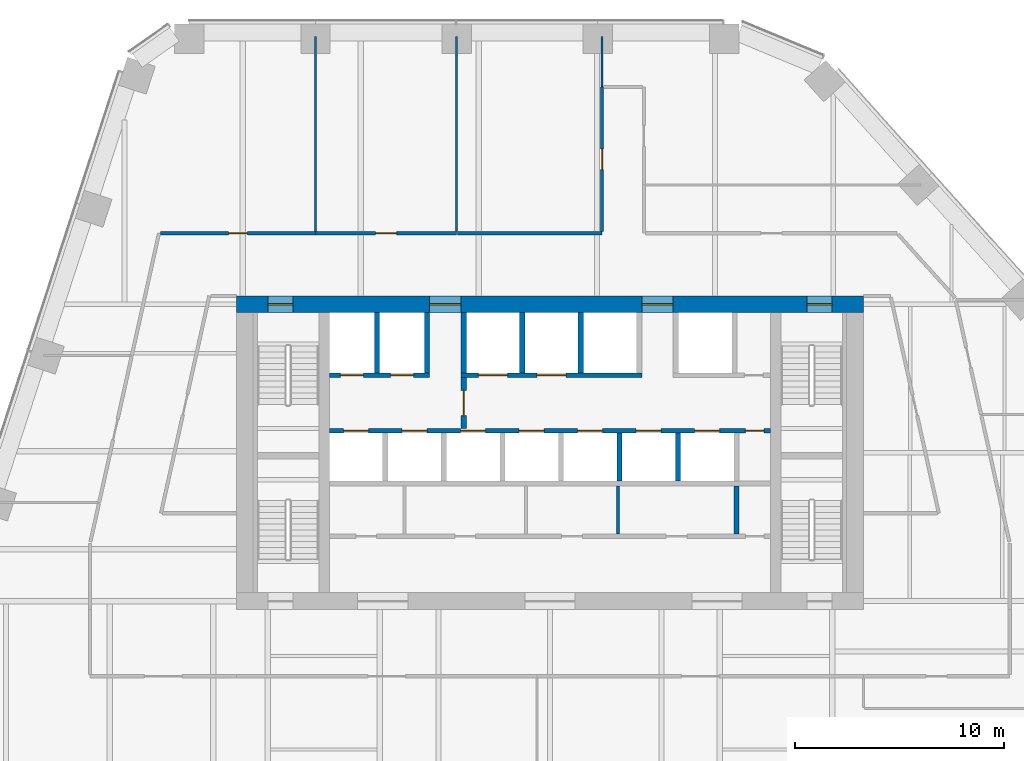
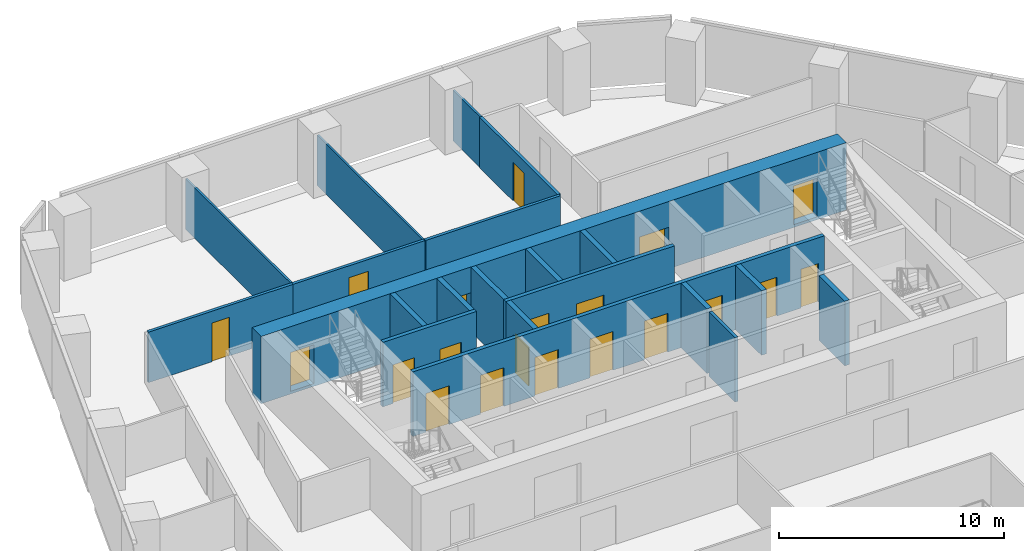
# One storey, part 12 of 16: 21 walls, 20 doors, 20 openings.
"""IFC4 building model written with IfcOpenShell, lengths in metres."""

from ifc_helpers import new_model, si_unit, direction, frame, frame_2d, origin, place, context, subcontext, project, spatial, rectangle, extrude, material, layer, layer_set, type_object, element, fill, save


model = new_model("IFC4")

# Units and contexts
model_context = context("Model", 3, precision=1e-05, world=origin(), true_north=direction((0.0, 1.0)))
body_context = subcontext(model_context, "Body", "Model", "MODEL_VIEW")
ifc_project = project(units=[si_unit("LENGTHUNIT", "METRE"), si_unit("AREAUNIT", "SQUARE_METRE"), si_unit("VOLUMEUNIT", "CUBIC_METRE"), si_unit("PLANEANGLEUNIT", "RADIAN"), si_unit("MASSUNIT", "GRAM", prefix="KILO")], contexts=[model_context])

# Site, building, storey
site_placement = place(None, origin())
site = spatial("IfcSite", under=ifc_project, at=site_placement, CompositionType="ELEMENT")
building_placement = place(site_placement, origin())
building = spatial("IfcBuilding", under=site, at=building_placement, Name="Isthmus Gate Tower", CompositionType="ELEMENT")
storey_placement = place(building_placement, frame((0.0, 0.0, 140.75)))
storey = spatial("IfcBuildingStorey", under=building, at=storey_placement, Name="L34", CompositionType="ELEMENT", Elevation=140.75)

# Wall, opening, door
ifc_material_1 = material(Name="Gypsum board on steel studs, fire-rated", Category="steel")
ifc_layer_1 = layer(ifc_material_1, 0.14990234375)
ifc_layer_set_1 = layer_set([ifc_layer_1], Name="CORRIDOR WALL 150 60 MIN")
wall_type_1 = type_object("IfcWallType", Name="CORRIDOR WALL 150 60 MIN", PredefinedType="PARTITIONING", material=ifc_layer_set_1)
wall_1_placement = place(storey_placement, frame((-11.2119140625, 18.0, 0.0), z_axis=(0.0, 0.0, 1.0), x_axis=(1.0, 0.0, 0.0)))
wall_1 = element("IfcWall", 1, at=wall_1_placement, inside=storey, type_object=wall_type_1, Name="L34 Corridor Wall 150 60 Min", PredefinedType="PARTITIONING", context=body_context, shape_type="SweptSolid", body=[
    extrude(rectangle(XDim=6.75, YDim=0.14990234375, at=frame_2d((3.375, 0.0))), origin(), (0.0, 0.0, 1.0), 2.7412109375),
])
opening_1_placement = place(wall_1_placement, frame((2.875, 0.0, 0.0)))
opening_1 = element("IfcOpeningElement", 2, at=opening_1_placement, cuts=wall_1, Name="Opening DT-T3B-01", PredefinedType="OPENING", context=body_context, shape_type="SweptSolid", body=[
    extrude(rectangle(XDim=1.0, YDim=2.10009765625, at=frame_2d((0.5, 1.050048828125))), frame((0.0, 0.0849609375, 0.0), z_axis=(0.0, -1.0, 0.0), x_axis=(1.0, 0.0, 0.0)), (0.0, 0.0, 1.0), 0.169921875),
])
ifc_material_2 = material(Name="Solid core timber door leaf, fire-rated", Category="wood")
door_type_1 = type_object("IfcDoorType", Name="FIRE DOOR ROOM 1000 X 2100 60 MIN", OperationType="SINGLE_SWING_LEFT", PredefinedType="DOOR", material=ifc_material_2)
door_1_placement = place(opening_1_placement, origin())
door_1 = element("IfcDoor", 3, at=door_1_placement, inside=storey, type_object=door_type_1, Name="L34 room door", OperationType="SINGLE_SWING_RIGHT", OverallHeight=2.10009765625, OverallWidth=1.0, PredefinedType="DOOR", context=body_context, shape_type="SweptSolid", body=[
    extrude(rectangle(XDim=1.0, YDim=2.10009765625, at=frame_2d((0.5, 1.050048828125))), frame((0.0, 0.02490234375, 0.0), z_axis=(0.0, -1.0, 0.0), x_axis=(1.0, 0.0, 0.0)), (0.0, 0.0, 1.0), 0.050048828125),
])
fill(opening_1, door_1)

# Wall
wall_2_placement = place(storey_placement, frame((-4.412109375, 18.0, 0.0), z_axis=(0.0, 0.0, 1.0), x_axis=(1.0, 0.0, 0.0)))
element("IfcWall", 4, at=wall_2_placement, inside=storey, type_object=wall_type_1, Name="L34 Corridor Wall 150 60 Min", PredefinedType="PARTITIONING", context=body_context, shape_type="SweptSolid", body=[
    extrude(rectangle(XDim=6.912109375, YDim=0.14990234375, at=frame_2d((3.4560546875, 0.0))), origin(), (0.0, 0.0, 1.0), 2.7412109375),
])

# Wall, opening, door
wall_3_placement = place(storey_placement, frame((2.5, 18.074951171875, 0.0), z_axis=(0.0, 0.0, 1.0), x_axis=(0.0, 1.0, 0.0)))
wall_3 = element("IfcWall", 5, at=wall_3_placement, inside=storey, type_object=wall_type_1, Name="L34 Corridor Wall 150 60 Min", PredefinedType="PARTITIONING", context=body_context, shape_type="SweptSolid", body=[
    extrude(rectangle(XDim=6.925048828125, YDim=0.14990234375, at=frame_2d((3.46240234375, 0.0))), origin(), (0.0, 0.0, 1.0), 2.7412109375),
])
opening_2_placement = place(wall_3_placement, frame((2.96240234375, 0.0, 0.0)))
opening_2 = element("IfcOpeningElement", 6, at=opening_2_placement, cuts=wall_3, Name="Opening DT-T3B-02", PredefinedType="OPENING", context=body_context, shape_type="SweptSolid", body=[
    extrude(rectangle(XDim=1.0, YDim=2.10009765625, at=frame_2d((0.5, 1.050048828125))), frame((0.0, 0.0849609375, 0.0), z_axis=(0.0, -1.0, 0.0), x_axis=(1.0, 0.0, 0.0)), (0.0, 0.0, 1.0), 0.169921875),
])
door_2_placement = place(opening_2_placement, origin())
door_2 = element("IfcDoor", 7, at=door_2_placement, inside=storey, type_object=door_type_1, Name="L34 room door", OperationType="SINGLE_SWING_RIGHT", OverallHeight=2.10009765625, OverallWidth=1.0, PredefinedType="DOOR", context=body_context, shape_type="SweptSolid", body=[
    extrude(rectangle(XDim=1.0, YDim=2.10009765625, at=frame_2d((0.5, 1.050048828125))), frame((0.0, 0.02490234375, 0.0), z_axis=(0.0, -1.0, 0.0), x_axis=(1.0, 0.0, 0.0)), (0.0, 0.0, 1.0), 0.050048828125),
])
fill(opening_2, door_2)

wall_4_placement = place(storey_placement, frame((-18.6279296875, 18.0, 0.0), z_axis=(0.0, 0.0, 1.0), x_axis=(1.0, 0.0, 0.0)))
wall_4 = element("IfcWall", 8, at=wall_4_placement, inside=storey, type_object=wall_type_1, Name="L34 Corridor Wall 150 60 Min", PredefinedType="PARTITIONING", context=body_context, shape_type="SweptSolid", body=[
    extrude(rectangle(XDim=7.416015625, YDim=0.14990234375, at=frame_2d((3.7080078125, 0.0))), origin(), (0.0, 0.0, 1.0), 2.7412109375),
])
opening_3_placement = place(wall_4_placement, frame((3.258056640625, 0.0, 0.0)))
opening_3 = element("IfcOpeningElement", 9, at=opening_3_placement, cuts=wall_4, Name="Opening DT-T3B-04", PredefinedType="OPENING", context=body_context, shape_type="SweptSolid", body=[
    extrude(rectangle(XDim=0.89990234375, YDim=2.10009765625, at=frame_2d((0.449951171875, 1.050048828125))), frame((0.0, 0.0849609375, 0.0), z_axis=(0.0, -1.0, 0.0), x_axis=(1.0, 0.0, 0.0)), (0.0, 0.0, 1.0), 0.169921875),
])
ifc_material_3 = material(Name="Solid core timber door leaf, fire-rated", Category="wood")
door_type_2 = type_object("IfcDoorType", Name="FIRE DOOR ROOM 900 X 2100 60 MIN", OperationType="SINGLE_SWING_LEFT", PredefinedType="DOOR", material=ifc_material_3)
door_3_placement = place(opening_3_placement, origin())
door_3 = element("IfcDoor", 10, at=door_3_placement, inside=storey, type_object=door_type_2, Name="L34 room door", OperationType="SINGLE_SWING_RIGHT", OverallHeight=2.10009765625, OverallWidth=0.89990234375, PredefinedType="DOOR", context=body_context, shape_type="SweptSolid", body=[
    extrude(rectangle(XDim=0.89990234375, YDim=2.10009765625, at=frame_2d((0.449951171875, 1.050048828125))), frame((0.0, 0.02490234375, 0.0), z_axis=(0.0, -1.0, 0.0), x_axis=(1.0, 0.0, 0.0)), (0.0, 0.0, 1.0), 0.050048828125),
])
fill(opening_3, door_3)

ifc_material_4 = material(Name="Fire-rated blockwork masonry, 15 MPa", Category="masonry")
ifc_layer_2 = layer(ifc_material_4, 0.25)
ifc_layer_set_2 = layer_set([ifc_layer_2], Name="FIRE-FIGHTING LOBBY WALL 250 90 MIN")
wall_type_2 = type_object("IfcWallType", Name="FIRE-FIGHTING LOBBY WALL 250 90 MIN", PredefinedType="PARTITIONING", material=ifc_layer_set_2)
wall_5_placement = place(storey_placement, frame((-4.125, 8.64990234375, 0.0), z_axis=(0.0, 0.0, 1.0), x_axis=(0.0, 1.0, 0.0)))
wall_5 = element("IfcWall", 11, at=wall_5_placement, inside=storey, type_object=wall_type_2, Name="L34 FIRE-FIGHTING LOBBY WALL 250 90 MIN", PredefinedType="PARTITIONING", context=body_context, shape_type="SweptSolid", body=[
    extrude(rectangle(XDim=2.4501953125, YDim=0.25, at=frame_2d((1.22509765625, 0.0))), origin(), (0.0, 0.0, 1.0), 3.5),
])
opening_4_placement = place(wall_5_placement, frame((0.625, 0.0, 0.0)))
opening_4 = element("IfcOpeningElement", 12, at=opening_4_placement, cuts=wall_5, Name="Opening DC-A13-01", PredefinedType="OPENING", context=body_context, shape_type="SweptSolid", body=[
    extrude(rectangle(XDim=1.199951171875, YDim=2.10009765625, at=frame_2d((0.60009765625, 1.050048828125))), frame((0.0, 0.135009765625, 0.0), z_axis=(0.0, -1.0, 0.0), x_axis=(1.0, 0.0, 0.0)), (0.0, 0.0, 1.0), 0.27001953125),
])
ifc_material_5 = material(Name="Steel door leaf, fire-rated", Category="steel")
door_type_3 = type_object("IfcDoorType", Name="LOBBY FIRE DOOR 1200 X 2100 90 MIN", OperationType="DOUBLE_DOOR_SINGLE_SWING", PredefinedType="DOOR", material=ifc_material_5)
door_4_placement = place(opening_4_placement, origin())
door_4 = element("IfcDoor", 13, at=door_4_placement, inside=storey, type_object=door_type_3, Name="Fire-fighting Lobby Door", OperationType="SINGLE_SWING_LEFT", OverallHeight=2.10009765625, OverallWidth=1.199951171875, PredefinedType="DOOR", context=body_context, shape_type="SweptSolid", body=[
    extrude(rectangle(XDim=1.199951171875, YDim=2.10009765625, at=frame_2d((0.60009765625, 1.050048828125))), frame((0.0, 0.02490234375, 0.0), z_axis=(0.0, -1.0, 0.0), x_axis=(1.0, 0.0, 0.0)), (0.0, 0.0, 1.0), 0.050048828125),
])
fill(opening_4, door_4)

# Wall, openings, doors
ifc_material_6 = material(Name="Concrete f'c 60 MPa", Category="concrete")
ifc_layer_3 = layer(ifc_material_6, 0.800048828125)
ifc_layer_set_3 = layer_set([ifc_layer_3], Name="RC CORE WALL 800 F'C 60")
wall_type_3 = type_object("IfcWallType", Name="RC CORE WALL 800 F'C 60", PredefinedType="SOLIDWALL", material=ifc_layer_set_3)
wall_6_placement = place(storey_placement, frame((-15.0, 14.60009765625, -0.14990234375), z_axis=(0.0, 0.0, 1.0), x_axis=(1.0, 0.0, 0.0)))
wall_6 = element("IfcWall", 14, at=wall_6_placement, inside=storey, type_object=wall_type_3, Name="str-corewall-L34-N", PredefinedType="SOLIDWALL", context=body_context, shape_type="SweptSolid", body=[
    extrude(rectangle(XDim=30.0, YDim=0.800048828125, at=frame_2d((15.0, 0.0))), origin(), (0.0, 0.0, 1.0), 3.64990234375),
])
opening_5_placement = place(wall_6_placement, frame((9.25, 0.0, 0.14990234375)))
opening_5 = element("IfcOpeningElement", 15, at=opening_5_placement, cuts=wall_6, Name="Opening DC-A13-12", PredefinedType="OPENING", context=body_context, shape_type="SweptSolid", body=[
    extrude(rectangle(XDim=1.5, YDim=2.10009765625, at=frame_2d((0.75, 1.050048828125))), frame((0.0, 0.409912109375, 0.0), z_axis=(0.0, -1.0, 0.0), x_axis=(1.0, 0.0, 0.0)), (0.0, 0.0, 1.0), 0.820068359375),
])
opening_6_placement = place(wall_6_placement, frame((19.39990234375, 0.0, 0.14990234375)))
opening_6 = element("IfcOpeningElement", 16, at=opening_6_placement, cuts=wall_6, Name="Opening DC-A13-13", PredefinedType="OPENING", context=body_context, shape_type="SweptSolid", body=[
    extrude(rectangle(XDim=1.5, YDim=2.10009765625, at=frame_2d((0.75, 1.050048828125))), frame((0.0, 0.409912109375, 0.0), z_axis=(0.0, -1.0, 0.0), x_axis=(1.0, 0.0, 0.0)), (0.0, 0.0, 1.0), 0.820068359375),
])
opening_7_placement = place(wall_6_placement, frame((1.5, 0.0, 0.14990234375)))
opening_7 = element("IfcOpeningElement", 17, at=opening_7_placement, cuts=wall_6, Name="Opening DC-A13-14", PredefinedType="OPENING", context=body_context, shape_type="SweptSolid", body=[
    extrude(rectangle(XDim=1.199951171875, YDim=2.10009765625, at=frame_2d((0.60009765625, 1.050048828125))), frame((0.0, 0.409912109375, 0.0), z_axis=(0.0, -1.0, 0.0), x_axis=(1.0, 0.0, 0.0)), (0.0, 0.0, 1.0), 0.820068359375),
])
opening_8_placement = place(wall_6_placement, frame((27.300048828125, 0.0, 0.14990234375)))
opening_8 = element("IfcOpeningElement", 18, at=opening_8_placement, cuts=wall_6, Name="Opening DC-A13-15", PredefinedType="OPENING", context=body_context, shape_type="SweptSolid", body=[
    extrude(rectangle(XDim=1.199951171875, YDim=2.10009765625, at=frame_2d((0.60009765625, 1.050048828125))), frame((0.0, 0.409912109375, 0.0), z_axis=(0.0, -1.0, 0.0), x_axis=(1.0, 0.0, 0.0)), (0.0, 0.0, 1.0), 0.820068359375),
])
ifc_material_7 = material(Name="Steel door leaf, fire-rated", Category="steel")
door_type_4 = type_object("IfcDoorType", Name="LOBBY FIRE DOOR 1500 X 2100 60 MIN", OperationType="DOUBLE_DOOR_SINGLE_SWING", PredefinedType="DOOR", material=ifc_material_7)
door_5_placement = place(opening_6_placement, origin())
door_5 = element("IfcDoor", 19, at=door_5_placement, inside=storey, type_object=door_type_4, Name="Lobby Door PN-E", OperationType="DOUBLE_DOOR_SINGLE_SWING", OverallHeight=2.10009765625, OverallWidth=1.5, PredefinedType="DOOR", context=body_context, shape_type="SweptSolid", body=[
    extrude(rectangle(XDim=1.5, YDim=2.10009765625, at=frame_2d((0.75, 1.050048828125))), frame((0.0, 0.02490234375, 0.0), z_axis=(0.0, -1.0, 0.0), x_axis=(1.0, 0.0, 0.0)), (0.0, 0.0, 1.0), 0.050048828125),
])
fill(opening_6, door_5)
ifc_material_8 = material(Name="Steel door leaf, fire-rated", Category="steel")
door_type_5 = type_object("IfcDoorType", Name="LOBBY FIRE DOOR 1500 X 2100 90 MIN", OperationType="DOUBLE_DOOR_SINGLE_SWING", PredefinedType="DOOR", material=ifc_material_8)
door_6_placement = place(opening_5_placement, origin())
door_6 = element("IfcDoor", 20, at=door_6_placement, inside=storey, type_object=door_type_5, Name="Lobby Door PN-W", OperationType="DOUBLE_DOOR_SINGLE_SWING", OverallHeight=2.10009765625, OverallWidth=1.5, PredefinedType="DOOR", context=body_context, shape_type="SweptSolid", body=[
    extrude(rectangle(XDim=1.5, YDim=2.10009765625, at=frame_2d((0.75, 1.050048828125))), frame((0.0, 0.02490234375, 0.0), z_axis=(0.0, -1.0, 0.0), x_axis=(1.0, 0.0, 0.0)), (0.0, 0.0, 1.0), 0.050048828125),
])
fill(opening_5, door_6)
ifc_material_9 = material(Name="Steel door leaf, fire-rated", Category="steel")
door_type_6 = type_object("IfcDoorType", Name="STAIR FIRE DOOR 1200 X 2100 90 MIN", OperationType="SINGLE_SWING_LEFT", PredefinedType="DOOR", material=ifc_material_9)
door_7_placement = place(opening_7_placement, origin())
door_7 = element("IfcDoor", 21, at=door_7_placement, inside=storey, type_object=door_type_6, Name="Exit Stair 1 Door", OperationType="SINGLE_SWING_RIGHT", OverallHeight=2.10009765625, OverallWidth=1.199951171875, PredefinedType="DOOR", context=body_context, shape_type="SweptSolid", body=[
    extrude(rectangle(XDim=1.199951171875, YDim=2.10009765625, at=frame_2d((0.60009765625, 1.050048828125))), frame((0.0, 0.02490234375, 0.0), z_axis=(0.0, -1.0, 0.0), x_axis=(1.0, 0.0, 0.0)), (0.0, 0.0, 1.0), 0.050048828125),
])
fill(opening_7, door_7)
door_8_placement = place(opening_8_placement, origin())
door_8 = element("IfcDoor", 22, at=door_8_placement, inside=storey, type_object=door_type_6, Name="Exit Stair 2 Door", OperationType="SINGLE_SWING_LEFT", OverallHeight=2.10009765625, OverallWidth=1.199951171875, PredefinedType="DOOR", context=body_context, shape_type="SweptSolid", body=[
    extrude(rectangle(XDim=1.199951171875, YDim=2.10009765625, at=frame_2d((0.60009765625, 1.050048828125))), frame((0.0, 0.02490234375, 0.0), z_axis=(0.0, -1.0, 0.0), x_axis=(1.0, 0.0, 0.0)), (0.0, 0.0, 1.0), 0.050048828125),
])
fill(opening_8, door_8)

# Walls
ifc_material_10 = material(Name="Gypsum board on steel studs, fire-rated", Category="steel")
ifc_layer_4 = layer(ifc_material_10, 0.10009765625)
ifc_layer_set_4 = layer_set([ifc_layer_4], Name="ROOM PARTITION 100 30 MIN")
wall_type_4 = type_object("IfcWallType", Name="ROOM PARTITION 100 30 MIN", PredefinedType="PARTITIONING", material=ifc_layer_set_4)
wall_7_placement = place(storey_placement, frame((-4.4619140625, 18.074951171875, 0.0), z_axis=(0.0, 0.0, 1.0), x_axis=(0.0, 1.0, 0.0)))
element("IfcWall", 23, at=wall_7_placement, inside=storey, type_object=wall_type_4, Name="L34 Room Partition 100 30 Min", PredefinedType="PARTITIONING", context=body_context, shape_type="SweptSolid", body=[
    extrude(rectangle(XDim=9.324951171875, YDim=0.10009765625, at=frame_2d((4.66259765625, 0.0))), origin(), (0.0, 0.0, 1.0), 2.7412109375),
])
wall_8_placement = place(storey_placement, frame((2.5, 25.0, 0.0), z_axis=(0.0, 0.0, 1.0), x_axis=(0.0, 1.0, 0.0)))
element("IfcWall", 24, at=wall_8_placement, inside=storey, type_object=wall_type_4, Name="L34 Room Partition 100 30 Min", PredefinedType="PARTITIONING", context=body_context, shape_type="SweptSolid", body=[
    extrude(rectangle(XDim=2.39990234375, YDim=0.10009765625, at=frame_2d((1.199951171875, 0.0))), origin(), (0.0, 0.0, 1.0), 2.7412109375),
])
wall_9_placement = place(storey_placement, frame((-11.2119140625, 18.074951171875, 0.0), z_axis=(0.0, 0.0, 1.0), x_axis=(0.0, 1.0, 0.0)))
element("IfcWall", 25, at=wall_9_placement, inside=storey, type_object=wall_type_4, Name="L34 Room Partition 100 30 Min", PredefinedType="PARTITIONING", context=body_context, shape_type="SweptSolid", body=[
    extrude(rectangle(XDim=9.324951171875, YDim=0.10009765625, at=frame_2d((4.66259765625, 0.0))), origin(), (0.0, 0.0, 1.0), 2.7412109375),
])
ifc_material_11 = material(Name="Gypsum board on steel studs, fire-rated", Category="steel")
ifc_layer_5 = layer(ifc_material_11, 0.14990234375)
ifc_layer_set_5 = layer_set([ifc_layer_5], Name="ROOM PARTITION 150 60 MIN")
wall_type_5 = type_object("IfcWallType", Name="ROOM PARTITION 150 60 MIN", PredefinedType="PARTITIONING", material=ifc_layer_set_5)
wall_10_placement = place(storey_placement, frame((3.25, 3.60009765625, 0.0), z_axis=(0.0, 0.0, 1.0), x_axis=(0.0, 1.0, 0.0)))
element("IfcWall", 26, at=wall_10_placement, inside=storey, type_object=wall_type_5, Name="L34 ROOM PARTITION 150 60 MIN", PredefinedType="PARTITIONING", context=body_context, shape_type="SweptSolid", body=[
    extrude(rectangle(XDim=2.2998046875, YDim=0.14990234375, at=frame_2d((1.14990234375, 0.0))), origin(), (0.0, 0.0, 1.0), 3.5),
])

# Wall, openings, doors
ifc_material_12 = material(Name="Fire-rated blockwork masonry, 15 MPa", Category="masonry")
ifc_layer_6 = layer(ifc_material_12, 0.199951171875)
ifc_layer_set_6 = layer_set([ifc_layer_6], Name="SHAFT FRONT WALL 200 120 MIN")
wall_type_6 = type_object("IfcWallType", Name="SHAFT FRONT WALL 200 120 MIN", PredefinedType="PARTITIONING", material=ifc_layer_set_6)
wall_11_placement = place(storey_placement, frame((-10.550048828125, 8.550048828125, 0.0), z_axis=(0.0, 0.0, 1.0), x_axis=(1.0, 0.0, 0.0)))
wall_11 = element("IfcWall", 27, at=wall_11_placement, inside=storey, type_object=wall_type_6, Name="L34 SHAFT FRONT WALL 200 120 MIN", PredefinedType="PARTITIONING", context=body_context, shape_type="SweptSolid", body=[
    extrude(rectangle(XDim=21.10009765625, YDim=0.199951171875, at=frame_2d((10.550048828125, 0.0))), origin(), (0.0, 0.0, 1.0), 3.5),
])
opening_9_placement = place(wall_11_placement, frame((0.675048828125, 0.0, 0.0)))
opening_9 = element("IfcOpeningElement", 28, at=opening_9_placement, cuts=wall_11, Name="Opening LD-LB1", PredefinedType="OPENING", context=body_context, shape_type="SweptSolid", body=[
    extrude(rectangle(XDim=1.199951171875, YDim=2.10009765625, at=frame_2d((0.60009765625, 1.050048828125))), frame((0.0, 0.10986328125, 0.0), z_axis=(0.0, -1.0, 0.0), x_axis=(1.0, 0.0, 0.0)), (0.0, 0.0, 1.0), 0.219970703125),
])
opening_10_placement = place(wall_11_placement, frame((3.47509765625, 0.0, 0.0)))
opening_10 = element("IfcOpeningElement", 29, at=opening_10_placement, cuts=wall_11, Name="Opening LD-LB2", PredefinedType="OPENING", context=body_context, shape_type="SweptSolid", body=[
    extrude(rectangle(XDim=1.199951171875, YDim=2.10009765625, at=frame_2d((0.60009765625, 1.050048828125))), frame((0.0, 0.10986328125, 0.0), z_axis=(0.0, -1.0, 0.0), x_axis=(1.0, 0.0, 0.0)), (0.0, 0.0, 1.0), 0.219970703125),
])
opening_11_placement = place(wall_11_placement, frame((6.27490234375, 0.0, 0.0)))
opening_11 = element("IfcOpeningElement", 30, at=opening_11_placement, cuts=wall_11, Name="Opening LD-LB3", PredefinedType="OPENING", context=body_context, shape_type="SweptSolid", body=[
    extrude(rectangle(XDim=1.199951171875, YDim=2.10009765625, at=frame_2d((0.60009765625, 1.050048828125))), frame((0.0, 0.10986328125, 0.0), z_axis=(0.0, -1.0, 0.0), x_axis=(1.0, 0.0, 0.0)), (0.0, 0.0, 1.0), 0.219970703125),
])
opening_12_placement = place(wall_11_placement, frame((9.074951171875, 0.0, 0.0)))
opening_12 = element("IfcOpeningElement", 31, at=opening_12_placement, cuts=wall_11, Name="Opening LD-LB4", PredefinedType="OPENING", context=body_context, shape_type="SweptSolid", body=[
    extrude(rectangle(XDim=1.199951171875, YDim=2.10009765625, at=frame_2d((0.60009765625, 1.050048828125))), frame((0.0, 0.10986328125, 0.0), z_axis=(0.0, -1.0, 0.0), x_axis=(1.0, 0.0, 0.0)), (0.0, 0.0, 1.0), 0.219970703125),
])
opening_13_placement = place(wall_11_placement, frame((11.875, 0.0, 0.0)))
opening_13 = element("IfcOpeningElement", 32, at=opening_13_placement, cuts=wall_11, Name="Opening LD-LB5", PredefinedType="OPENING", context=body_context, shape_type="SweptSolid", body=[
    extrude(rectangle(XDim=1.199951171875, YDim=2.10009765625, at=frame_2d((0.60009765625, 1.050048828125))), frame((0.0, 0.10986328125, 0.0), z_axis=(0.0, -1.0, 0.0), x_axis=(1.0, 0.0, 0.0)), (0.0, 0.0, 1.0), 0.219970703125),
])
opening_14_placement = place(wall_11_placement, frame((14.675048828125, 0.0, 0.0)))
opening_14 = element("IfcOpeningElement", 33, at=opening_14_placement, cuts=wall_11, Name="Opening LD-LB6", PredefinedType="OPENING", context=body_context, shape_type="SweptSolid", body=[
    extrude(rectangle(XDim=1.199951171875, YDim=2.10009765625, at=frame_2d((0.60009765625, 1.050048828125))), frame((0.0, 0.10986328125, 0.0), z_axis=(0.0, -1.0, 0.0), x_axis=(1.0, 0.0, 0.0)), (0.0, 0.0, 1.0), 0.219970703125),
])
opening_15_placement = place(wall_11_placement, frame((17.47509765625, 0.0, 0.0)))
opening_15 = element("IfcOpeningElement", 34, at=opening_15_placement, cuts=wall_11, Name="Opening LD-LB7", PredefinedType="OPENING", context=body_context, shape_type="SweptSolid", body=[
    extrude(rectangle(XDim=1.199951171875, YDim=2.10009765625, at=frame_2d((0.60009765625, 1.050048828125))), frame((0.0, 0.10986328125, 0.0), z_axis=(0.0, -1.0, 0.0), x_axis=(1.0, 0.0, 0.0)), (0.0, 0.0, 1.0), 0.219970703125),
])
opening_16_placement = place(wall_11_placement, frame((19.89990234375, 0.0, 0.0)))
opening_16 = element("IfcOpeningElement", 35, at=opening_16_placement, cuts=wall_11, Name="Opening DC-A13-07", PredefinedType="OPENING", context=body_context, shape_type="SweptSolid", body=[
    extrude(rectangle(XDim=0.89990234375, YDim=2.10009765625, at=frame_2d((0.449951171875, 1.050048828125))), frame((0.0, 0.10986328125, 0.0), z_axis=(0.0, -1.0, 0.0), x_axis=(1.0, 0.0, 0.0)), (0.0, 0.0, 1.0), 0.219970703125),
])
ifc_material_13 = material(Name="Stainless steel sliding leaf", Category="steel")
door_type_7 = type_object("IfcDoorType", Name="LIFT LANDING FIRE DOOR 1200 X 2100 90 MIN", OperationType="DOUBLE_DOOR_SLIDING", PredefinedType="DOOR", material=ifc_material_13)
door_9_placement = place(opening_9_placement, origin())
door_9 = element("IfcDoor", 36, at=door_9_placement, inside=storey, type_object=door_type_7, Name="Lift Landing Door LB1", OperationType="DOUBLE_DOOR_SLIDING", OverallHeight=2.10009765625, OverallWidth=1.199951171875, PredefinedType="DOOR", context=body_context, shape_type="SweptSolid", body=[
    extrude(rectangle(XDim=1.199951171875, YDim=2.10009765625, at=frame_2d((0.60009765625, 1.050048828125))), frame((0.0, 0.02490234375, 0.0), z_axis=(0.0, -1.0, 0.0), x_axis=(1.0, 0.0, 0.0)), (0.0, 0.0, 1.0), 0.050048828125),
])
fill(opening_9, door_9)
door_10_placement = place(opening_10_placement, origin())
door_10 = element("IfcDoor", 37, at=door_10_placement, inside=storey, type_object=door_type_7, Name="Lift Landing Door LB2", OperationType="DOUBLE_DOOR_SLIDING", OverallHeight=2.10009765625, OverallWidth=1.199951171875, PredefinedType="DOOR", context=body_context, shape_type="SweptSolid", body=[
    extrude(rectangle(XDim=1.199951171875, YDim=2.10009765625, at=frame_2d((0.60009765625, 1.050048828125))), frame((0.0, 0.02490234375, 0.0), z_axis=(0.0, -1.0, 0.0), x_axis=(1.0, 0.0, 0.0)), (0.0, 0.0, 1.0), 0.050048828125),
])
fill(opening_10, door_10)
door_11_placement = place(opening_11_placement, origin())
door_11 = element("IfcDoor", 38, at=door_11_placement, inside=storey, type_object=door_type_7, Name="Lift Landing Door LB3", OperationType="DOUBLE_DOOR_SLIDING", OverallHeight=2.10009765625, OverallWidth=1.199951171875, PredefinedType="DOOR", context=body_context, shape_type="SweptSolid", body=[
    extrude(rectangle(XDim=1.199951171875, YDim=2.10009765625, at=frame_2d((0.60009765625, 1.050048828125))), frame((0.0, 0.02490234375, 0.0), z_axis=(0.0, -1.0, 0.0), x_axis=(1.0, 0.0, 0.0)), (0.0, 0.0, 1.0), 0.050048828125),
])
fill(opening_11, door_11)
door_12_placement = place(opening_12_placement, origin())
door_12 = element("IfcDoor", 39, at=door_12_placement, inside=storey, type_object=door_type_7, Name="Lift Landing Door LB4", OperationType="DOUBLE_DOOR_SLIDING", OverallHeight=2.10009765625, OverallWidth=1.199951171875, PredefinedType="DOOR", context=body_context, shape_type="SweptSolid", body=[
    extrude(rectangle(XDim=1.199951171875, YDim=2.10009765625, at=frame_2d((0.60009765625, 1.050048828125))), frame((0.0, 0.02490234375, 0.0), z_axis=(0.0, -1.0, 0.0), x_axis=(1.0, 0.0, 0.0)), (0.0, 0.0, 1.0), 0.050048828125),
])
fill(opening_12, door_12)
door_13_placement = place(opening_13_placement, origin())
door_13 = element("IfcDoor", 40, at=door_13_placement, inside=storey, type_object=door_type_7, Name="Lift Landing Door LB5", OperationType="DOUBLE_DOOR_SLIDING", OverallHeight=2.10009765625, OverallWidth=1.199951171875, PredefinedType="DOOR", context=body_context, shape_type="SweptSolid", body=[
    extrude(rectangle(XDim=1.199951171875, YDim=2.10009765625, at=frame_2d((0.60009765625, 1.050048828125))), frame((0.0, 0.02490234375, 0.0), z_axis=(0.0, -1.0, 0.0), x_axis=(1.0, 0.0, 0.0)), (0.0, 0.0, 1.0), 0.050048828125),
])
fill(opening_13, door_13)
door_14_placement = place(opening_14_placement, origin())
door_14 = element("IfcDoor", 41, at=door_14_placement, inside=storey, type_object=door_type_7, Name="Lift Landing Door LB6", OperationType="DOUBLE_DOOR_SLIDING", OverallHeight=2.10009765625, OverallWidth=1.199951171875, PredefinedType="DOOR", context=body_context, shape_type="SweptSolid", body=[
    extrude(rectangle(XDim=1.199951171875, YDim=2.10009765625, at=frame_2d((0.60009765625, 1.050048828125))), frame((0.0, 0.02490234375, 0.0), z_axis=(0.0, -1.0, 0.0), x_axis=(1.0, 0.0, 0.0)), (0.0, 0.0, 1.0), 0.050048828125),
])
fill(opening_14, door_14)
door_15_placement = place(opening_15_placement, origin())
door_15 = element("IfcDoor", 42, at=door_15_placement, inside=storey, type_object=door_type_7, Name="Lift Landing Door LB7", OperationType="DOUBLE_DOOR_SLIDING", OverallHeight=2.10009765625, OverallWidth=1.199951171875, PredefinedType="DOOR", context=body_context, shape_type="SweptSolid", body=[
    extrude(rectangle(XDim=1.199951171875, YDim=2.10009765625, at=frame_2d((0.60009765625, 1.050048828125))), frame((0.0, 0.02490234375, 0.0), z_axis=(0.0, -1.0, 0.0), x_axis=(1.0, 0.0, 0.0)), (0.0, 0.0, 1.0), 0.050048828125),
])
fill(opening_15, door_15)
ifc_material_14 = material(Name="Steel door leaf, fire-rated", Category="steel")
door_type_8 = type_object("IfcDoorType", Name="RISER FIRE DOOR 900 X 2100 90 MIN", OperationType="SINGLE_SWING_LEFT", PredefinedType="DOOR", material=ifc_material_14)
door_16_placement = place(opening_16_placement, origin())
door_16 = element("IfcDoor", 43, at=door_16_placement, inside=storey, type_object=door_type_8, Name="Riser Door", OperationType="SINGLE_SWING_RIGHT", OverallHeight=2.10009765625, OverallWidth=0.89990234375, PredefinedType="DOOR", context=body_context, shape_type="SweptSolid", body=[
    extrude(rectangle(XDim=0.89990234375, YDim=2.10009765625, at=frame_2d((0.449951171875, 1.050048828125))), frame((0.0, 0.02490234375, 0.0), z_axis=(0.0, -1.0, 0.0), x_axis=(1.0, 0.0, 0.0)), (0.0, 0.0, 1.0), 0.050048828125),
])
fill(opening_16, door_16)

wall_12_placement = place(storey_placement, frame((-10.550048828125, 11.199951171875, 0.0), z_axis=(0.0, 0.0, 1.0), x_axis=(1.0, 0.0, 0.0)))
wall_12 = element("IfcWall", 44, at=wall_12_placement, inside=storey, type_object=wall_type_6, Name="L34 SHAFT FRONT WALL 200 120 MIN", PredefinedType="PARTITIONING", context=body_context, shape_type="SweptSolid", body=[
    extrude(rectangle(XDim=4.800048828125, YDim=0.199951171875, at=frame_2d((2.39990234375, 0.0))), origin(), (0.0, 0.0, 1.0), 3.5),
])
opening_17_placement = place(wall_12_placement, frame((0.52490234375, 0.0, 0.0)))
opening_17 = element("IfcOpeningElement", 45, at=opening_17_placement, cuts=wall_12, Name="Opening LD-LF1", PredefinedType="OPENING", context=body_context, shape_type="SweptSolid", body=[
    extrude(rectangle(XDim=1.10009765625, YDim=2.10009765625, at=frame_2d((0.550048828125, 1.050048828125))), frame((0.0, 0.10986328125, 0.0), z_axis=(0.0, -1.0, 0.0), x_axis=(1.0, 0.0, 0.0)), (0.0, 0.0, 1.0), 0.219970703125),
])
opening_18_placement = place(wall_12_placement, frame((2.925048828125, 0.0, 0.0)))
opening_18 = element("IfcOpeningElement", 46, at=opening_18_placement, cuts=wall_12, Name="Opening LD-LF2", PredefinedType="OPENING", context=body_context, shape_type="SweptSolid", body=[
    extrude(rectangle(XDim=1.10009765625, YDim=2.10009765625, at=frame_2d((0.550048828125, 1.050048828125))), frame((0.0, 0.10986328125, 0.0), z_axis=(0.0, -1.0, 0.0), x_axis=(1.0, 0.0, 0.0)), (0.0, 0.0, 1.0), 0.219970703125),
])
ifc_material_15 = material(Name="Stainless steel sliding leaf", Category="steel")
door_type_9 = type_object("IfcDoorType", Name="LIFT LANDING FIRE DOOR 1100 X 2100 90 MIN", OperationType="DOUBLE_DOOR_SLIDING", PredefinedType="DOOR", material=ifc_material_15)
door_17_placement = place(opening_17_placement, origin())
door_17 = element("IfcDoor", 47, at=door_17_placement, inside=storey, type_object=door_type_9, Name="Lift Landing Door LF1", OperationType="DOUBLE_DOOR_SLIDING", OverallHeight=2.10009765625, OverallWidth=1.10009765625, PredefinedType="DOOR", context=body_context, shape_type="SweptSolid", body=[
    extrude(rectangle(XDim=1.10009765625, YDim=2.10009765625, at=frame_2d((0.550048828125, 1.050048828125))), frame((0.0, 0.02490234375, 0.0), z_axis=(0.0, -1.0, 0.0), x_axis=(1.0, 0.0, 0.0)), (0.0, 0.0, 1.0), 0.050048828125),
])
fill(opening_17, door_17)
door_18_placement = place(opening_18_placement, origin())
door_18 = element("IfcDoor", 48, at=door_18_placement, inside=storey, type_object=door_type_9, Name="Lift Landing Door LF2", OperationType="DOUBLE_DOOR_SLIDING", OverallHeight=2.10009765625, OverallWidth=1.10009765625, PredefinedType="DOOR", context=body_context, shape_type="SweptSolid", body=[
    extrude(rectangle(XDim=1.10009765625, YDim=2.10009765625, at=frame_2d((0.550048828125, 1.050048828125))), frame((0.0, 0.02490234375, 0.0), z_axis=(0.0, -1.0, 0.0), x_axis=(1.0, 0.0, 0.0)), (0.0, 0.0, 1.0), 0.050048828125),
])
fill(opening_18, door_18)

wall_13_placement = place(storey_placement, frame((-4.25, 11.199951171875, 0.0), z_axis=(0.0, 0.0, 1.0), x_axis=(1.0, 0.0, 0.0)))
wall_13 = element("IfcWall", 49, at=wall_13_placement, inside=storey, type_object=wall_type_6, Name="L34 SHAFT FRONT WALL 200 120 MIN", PredefinedType="PARTITIONING", context=body_context, shape_type="SweptSolid", body=[
    extrude(rectangle(XDim=8.64990234375, YDim=0.199951171875, at=frame_2d((4.324951171875, 0.0))), origin(), (0.0, 0.0, 1.0), 3.5),
])
opening_19_placement = place(wall_13_placement, frame((0.824951171875, 0.0, 0.0)))
opening_19 = element("IfcOpeningElement", 50, at=opening_19_placement, cuts=wall_13, Name="Opening LD-LV1", PredefinedType="OPENING", context=body_context, shape_type="SweptSolid", body=[
    extrude(rectangle(XDim=1.39990234375, YDim=2.10009765625, at=frame_2d((0.699951171875, 1.050048828125))), frame((0.0, 0.10986328125, 0.0), z_axis=(0.0, -1.0, 0.0), x_axis=(1.0, 0.0, 0.0)), (0.0, 0.0, 1.0), 0.219970703125),
])
opening_20_placement = place(wall_13_placement, frame((3.625, 0.0, 0.0)))
opening_20 = element("IfcOpeningElement", 51, at=opening_20_placement, cuts=wall_13, Name="Opening LD-LV2", PredefinedType="OPENING", context=body_context, shape_type="SweptSolid", body=[
    extrude(rectangle(XDim=1.39990234375, YDim=2.10009765625, at=frame_2d((0.699951171875, 1.050048828125))), frame((0.0, 0.10986328125, 0.0), z_axis=(0.0, -1.0, 0.0), x_axis=(1.0, 0.0, 0.0)), (0.0, 0.0, 1.0), 0.219970703125),
])
ifc_material_16 = material(Name="Stainless steel sliding leaf", Category="steel")
door_type_10 = type_object("IfcDoorType", Name="LIFT LANDING FIRE DOOR 1400 X 2100 90 MIN", OperationType="DOUBLE_DOOR_SLIDING", PredefinedType="DOOR", material=ifc_material_16)
door_19_placement = place(opening_19_placement, origin())
door_19 = element("IfcDoor", 52, at=door_19_placement, inside=storey, type_object=door_type_10, Name="Lift Landing Door LV1", OperationType="DOUBLE_DOOR_SLIDING", OverallHeight=2.10009765625, OverallWidth=1.39990234375, PredefinedType="DOOR", context=body_context, shape_type="SweptSolid", body=[
    extrude(rectangle(XDim=1.39990234375, YDim=2.10009765625, at=frame_2d((0.699951171875, 1.050048828125))), frame((0.0, 0.02490234375, 0.0), z_axis=(0.0, -1.0, 0.0), x_axis=(1.0, 0.0, 0.0)), (0.0, 0.0, 1.0), 0.050048828125),
])
fill(opening_19, door_19)
door_20_placement = place(opening_20_placement, origin())
door_20 = element("IfcDoor", 53, at=door_20_placement, inside=storey, type_object=door_type_10, Name="Lift Landing Door LV2", OperationType="DOUBLE_DOOR_SLIDING", OverallHeight=2.10009765625, OverallWidth=1.39990234375, PredefinedType="DOOR", context=body_context, shape_type="SweptSolid", body=[
    extrude(rectangle(XDim=1.39990234375, YDim=2.10009765625, at=frame_2d((0.699951171875, 1.050048828125))), frame((0.0, 0.02490234375, 0.0), z_axis=(0.0, -1.0, 0.0), x_axis=(1.0, 0.0, 0.0)), (0.0, 0.0, 1.0), 0.050048828125),
])
fill(opening_20, door_20)

# Walls
ifc_material_17 = material(Name="Fire-rated blockwork masonry, 15 MPa", Category="masonry")
ifc_layer_7 = layer(ifc_material_17, 0.25)
ifc_layer_set_7 = layer_set([ifc_layer_7], Name="SHAFT WALL 250 120 MIN")
wall_type_7 = type_object("IfcWallType", Name="SHAFT WALL 250 120 MIN", PredefinedType="PARTITIONING", material=ifc_layer_set_7)
wall_14_placement = place(storey_placement, frame((8.925048828125, 3.60009765625, 0.0), z_axis=(0.0, 0.0, 1.0), x_axis=(0.0, 1.0, 0.0)))
element("IfcWall", 54, at=wall_14_placement, inside=storey, type_object=wall_type_7, Name="L34 SHAFT WALL 250 120 MIN", PredefinedType="PARTITIONING", context=body_context, shape_type="SweptSolid", body=[
    extrude(rectangle(XDim=2.2998046875, YDim=0.25, at=frame_2d((1.14990234375, 0.0))), origin(), (0.0, 0.0, 1.0), 3.5),
])
for number, where, z_axis, x_axis, name in (
    (55, (3.324951171875, 6.14990234375, 0.0), (0.0, 0.0, 1.0), (0.0, 1.0, 0.0), "L34 SHAFT WALL 250 120 MIN"),
    (56, (6.125, 6.14990234375, 0.0), (0.0, 0.0, 1.0), (0.0, 1.0, 0.0), "L34 SHAFT WALL 250 120 MIN"),
):
    element("IfcWall", number, at=place(storey_placement, frame(where, z_axis=z_axis, x_axis=x_axis)), inside=storey, type_object=wall_type_7, Name=name, PredefinedType="PARTITIONING", context=body_context, shape_type="SweptSolid", body=[
        extrude(rectangle(XDim=2.300048828125, YDim=0.25, at=frame_2d((1.14990234375, 0.0))), origin(), (0.0, 0.0, 1.0), 3.5),
    ])
for number, where, z_axis, x_axis, name in (
    (57, (-8.27490234375, 11.300048828125, 0.0), (0.0, 0.0, 1.0), (0.0, 1.0, 0.0), "L34 SHAFT WALL 250 120 MIN"),
    (58, (-5.875, 11.300048828125, 0.0), (0.0, 0.0, 1.0), (0.0, 1.0, 0.0), "L34 SHAFT WALL 250 120 MIN"),
    (59, (-4.125, 11.300048828125, 0.0), (0.0, 0.0, 1.0), (0.0, 1.0, 0.0), "L34 SHAFT WALL 250 120 MIN"),
    (60, (-1.324951171875, 11.300048828125, 0.0), (0.0, 0.0, 1.0), (0.0, 1.0, 0.0), "L34 SHAFT WALL 250 120 MIN"),
    (61, (1.47509765625, 11.300048828125, 0.0), (0.0, 0.0, 1.0), (0.0, 1.0, 0.0), "L34 SHAFT WALL 250 120 MIN"),
):
    element("IfcWall", number, at=place(storey_placement, frame(where, z_axis=z_axis, x_axis=x_axis)), inside=storey, type_object=wall_type_7, Name=name, PredefinedType="PARTITIONING", context=body_context, shape_type="SweptSolid", body=[
        extrude(rectangle(XDim=2.89990234375, YDim=0.25, at=frame_2d((1.449951171875, 0.0))), origin(), (0.0, 0.0, 1.0), 3.5),
    ])

save(model, "model.ifc")
